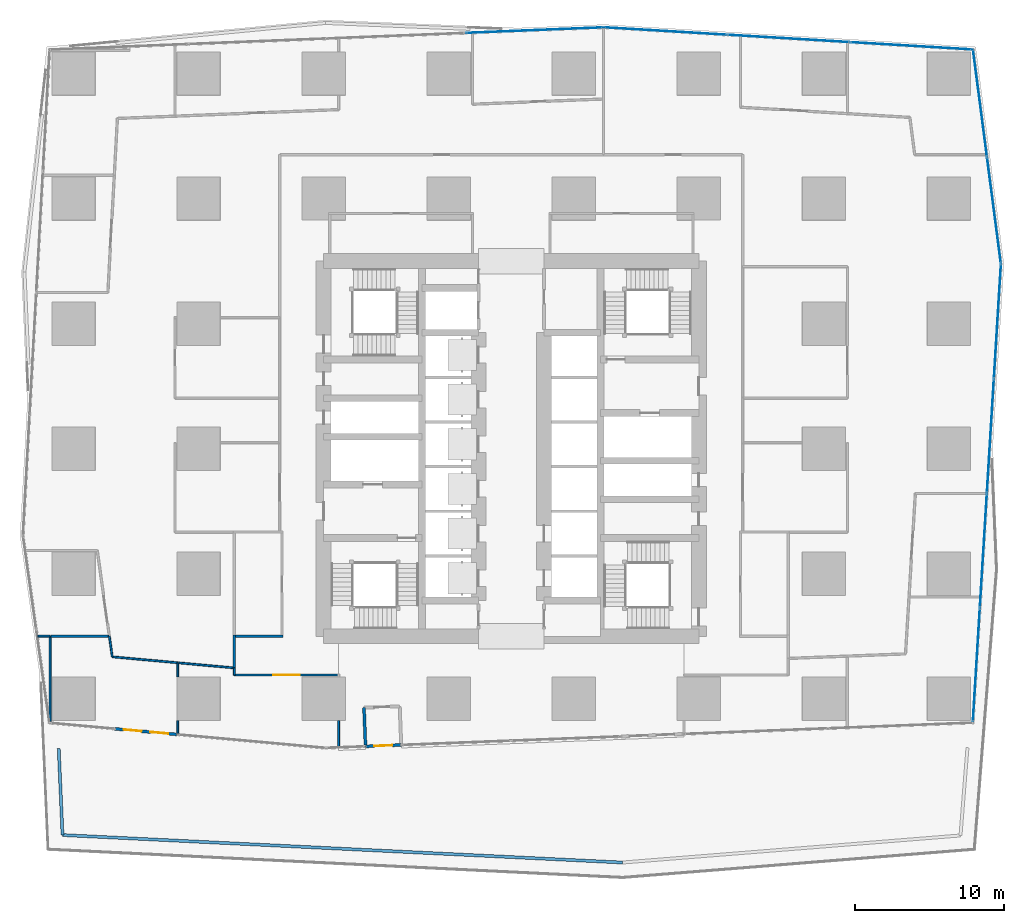
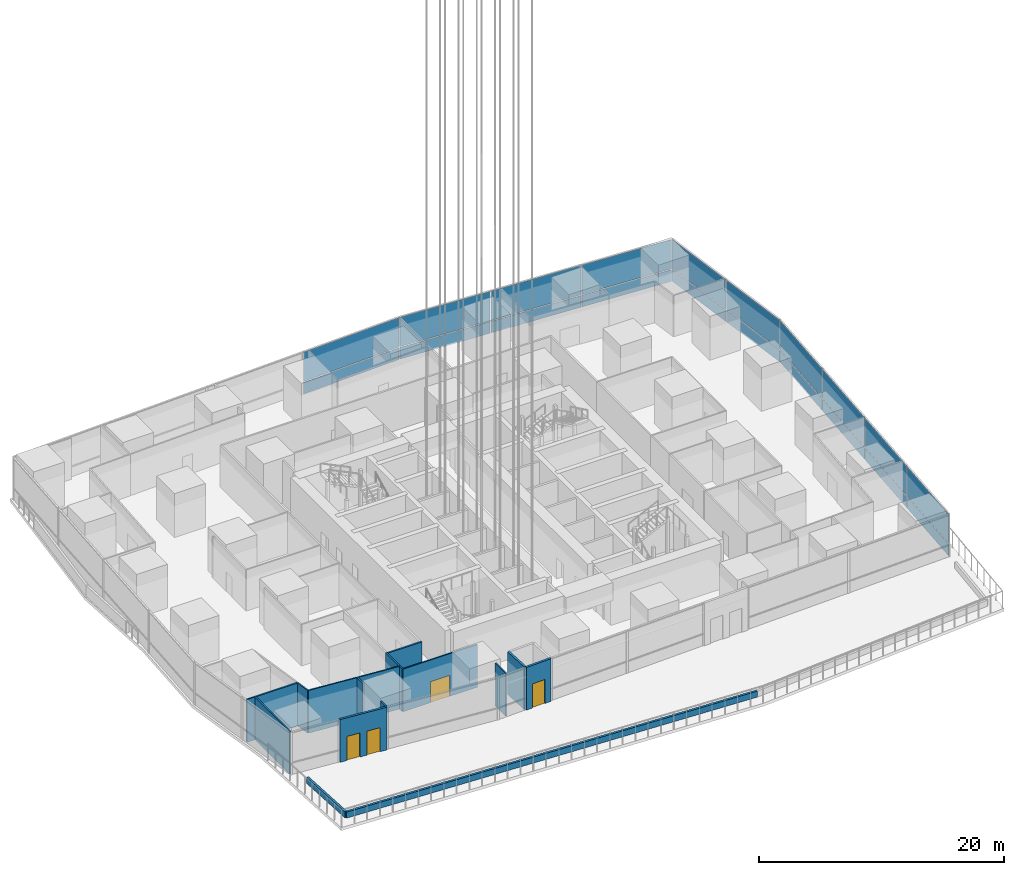
# One storey, part 18 of 44: 20 plates, 18 walls, 4 doors, 4 openings, 4 elements without a shape of their own.
"""IFC4 building model written with IfcOpenShell, lengths in metres."""

from ifc_helpers import new_model, si_unit, direction, frame, frame_2d, origin, origin_2d, place, context, subcontext, project, spatial, rectangle, extrude, material, layer, layer_set, type_object, element, fill, aggregate, save


model = new_model("IFC4")

# Units and contexts
model_context = context("Model", 3, precision=1e-05, world=origin(), true_north=direction((0.0, 1.0)))
body_context = subcontext(model_context, "Body", "Model", "MODEL_VIEW")
ifc_project = project(units=[si_unit("LENGTHUNIT", "METRE"), si_unit("AREAUNIT", "SQUARE_METRE"), si_unit("VOLUMEUNIT", "CUBIC_METRE"), si_unit("PLANEANGLEUNIT", "RADIAN"), si_unit("MASSUNIT", "GRAM", prefix="KILO")], contexts=[model_context])

# Site, building, storey
site_placement = place(None, origin())
site = spatial("IfcSite", under=ifc_project, at=site_placement, CompositionType="ELEMENT")
building_placement = place(site_placement, origin())
building = spatial("IfcBuilding", under=site, at=building_placement, Name="Rekha Terrace Tower", CompositionType="ELEMENT")
storey_placement = place(building_placement, frame((0.0, 0.0, 90.800048828125)))
storey = spatial("IfcBuildingStorey", under=building, at=storey_placement, Name="L22", CompositionType="ELEMENT", Elevation=90.800048828125)

# Curtain wall, plates
ifc_material_1 = material(Name="Aluminium framing", Category="aluminium")
curtain_wall_type = type_object("IfcCurtainWallType", Name="CW5 sky garden glazing", PredefinedType="USERDEFINED", material=ifc_material_1)
curtain_wall_1_placement = place(storey_placement, origin())
curtain_wall_1 = element("IfcCurtainWall", 1, at=curtain_wall_1_placement, inside=storey, type_object=curtain_wall_type, Name="CW5 sky garden curtain wall", ObjectType="SKY GARDEN CURTAIN WALL", PredefinedType="USERDEFINED")
ifc_material_2 = material(Name="Laminated double-glazed unit 36", Category="glass")
ifc_layer_1 = layer(ifc_material_2, 0.035888671875)
ifc_layer_set_1 = layer_set([ifc_layer_1], Name="Laminated double-glazed unit 36")
plate_type = type_object("IfcPlateType", Name="CW5 jumbo vision panel, laminated double-glazed unit 36", PredefinedType="CURTAIN_PANEL", material=ifc_layer_set_1)
plate_1_placement = place(storey_placement, frame((69.048828125, 19.06640625, 0.0), z_axis=(0.0, 0.0, 1.0), x_axis=(0.061159803113, 0.998127987025, 0.0)))
plate_1 = element("IfcPlate", 2, at=plate_1_placement, type_object=plate_type, Name="CW5 panel 1.1", PredefinedType="CURTAIN_PANEL", context=body_context, shape_type="SweptSolid", body=[
    extrude(rectangle(XDim=7.58154296875, YDim=0.035888671875, at=origin_2d()), origin(), (0.0, 0.0, 1.0), 1.155029296875),
])
plate_2_placement = place(storey_placement, frame((69.048828125, 19.06640625, 1.244873046875), z_axis=(0.0, 0.0, 1.0), x_axis=(0.061159803113, 0.998127987025, 0.0)))
plate_2 = element("IfcPlate", 3, at=plate_2_placement, type_object=plate_type, Name="CW5 panel 1.2", PredefinedType="CURTAIN_PANEL", context=body_context, shape_type="SweptSolid", body=[
    extrude(rectangle(XDim=7.58154296875, YDim=0.035888671875, at=origin_2d()), origin(), (0.0, 0.0, 1.0), 2.9150390625),
])
plate_3_placement = place(storey_placement, frame((69.519287109375, 26.745849609375, 0.0), z_axis=(0.0, 0.0, 1.0), x_axis=(0.061159803113, 0.998127987025, 0.0)))
plate_3 = element("IfcPlate", 4, at=plate_3_placement, type_object=plate_type, Name="CW5 panel 2.1", PredefinedType="CURTAIN_PANEL", context=body_context, shape_type="SweptSolid", body=[
    extrude(rectangle(XDim=7.62646484375, YDim=0.035888671875, at=origin_2d()), origin(), (0.0, 0.0, 1.0), 1.155029296875),
])
plate_4_placement = place(storey_placement, frame((69.519287109375, 26.745849609375, 1.244873046875), z_axis=(0.0, 0.0, 1.0), x_axis=(0.061159803113, 0.998127987025, 0.0)))
plate_4 = element("IfcPlate", 5, at=plate_4_placement, type_object=plate_type, Name="CW5 panel 2.2", PredefinedType="CURTAIN_PANEL", context=body_context, shape_type="SweptSolid", body=[
    extrude(rectangle(XDim=7.62646484375, YDim=0.035888671875, at=origin_2d()), origin(), (0.0, 0.0, 1.0), 2.9150390625),
])
plate_5_placement = place(storey_placement, frame((69.9912109375, 34.447998046875, 0.0), z_axis=(0.0, 0.0, 1.0), x_axis=(0.061159803113, 0.998127987025, 0.0)))
plate_5 = element("IfcPlate", 6, at=plate_5_placement, type_object=plate_type, Name="CW5 panel 3.1", PredefinedType="CURTAIN_PANEL", context=body_context, shape_type="SweptSolid", body=[
    extrude(rectangle(XDim=7.62646484375, YDim=0.035888671875, at=origin_2d()), origin(), (0.0, 0.0, 1.0), 1.155029296875),
])
plate_6_placement = place(storey_placement, frame((69.9912109375, 34.447998046875, 1.244873046875), z_axis=(0.0, 0.0, 1.0), x_axis=(0.061159803113, 0.998127987025, 0.0)))
plate_6 = element("IfcPlate", 7, at=plate_6_placement, type_object=plate_type, Name="CW5 panel 3.2", PredefinedType="CURTAIN_PANEL", context=body_context, shape_type="SweptSolid", body=[
    extrude(rectangle(XDim=7.62646484375, YDim=0.035888671875, at=origin_2d()), origin(), (0.0, 0.0, 1.0), 2.9150390625),
])
plate_7_placement = place(storey_placement, frame((70.464599609375, 42.172607421875, 0.0), z_axis=(0.0, 0.0, 1.0), x_axis=(0.061159803113, 0.998127987025, 0.0)))
plate_7 = element("IfcPlate", 8, at=plate_7_placement, type_object=plate_type, Name="CW5 panel 4.1", PredefinedType="CURTAIN_PANEL", context=body_context, shape_type="SweptSolid", body=[
    extrude(rectangle(XDim=7.671630859375, YDim=0.035888671875, at=origin_2d()), origin(), (0.0, 0.0, 1.0), 1.155029296875),
])
plate_8_placement = place(storey_placement, frame((70.464599609375, 42.172607421875, 1.244873046875), z_axis=(0.0, 0.0, 1.0), x_axis=(0.061159803113, 0.998127987025, 0.0)))
plate_8 = element("IfcPlate", 9, at=plate_8_placement, type_object=plate_type, Name="CW5 panel 4.2", PredefinedType="CURTAIN_PANEL", context=body_context, shape_type="SweptSolid", body=[
    extrude(rectangle(XDim=7.671630859375, YDim=0.035888671875, at=origin_2d()), origin(), (0.0, 0.0, 1.0), 2.9150390625),
])
aggregate(curtain_wall_1, [plate_1, plate_2, plate_3, plate_4, plate_5, plate_6, plate_7, plate_8])

curtain_wall_2_placement = place(storey_placement, origin())
curtain_wall_2 = element("IfcCurtainWall", 10, at=curtain_wall_2_placement, inside=storey, type_object=curtain_wall_type, Name="CW5 sky garden curtain wall", ObjectType="SKY GARDEN CURTAIN WALL", PredefinedType="USERDEFINED")
plate_9_placement = place(storey_placement, frame((70.227294921875, 49.625732421875, 0.0), z_axis=(0.0, 0.0, 1.0), x_axis=(-0.129118383589, 0.991629186248, 0.0)))
plate_9 = element("IfcPlate", 11, at=plate_9_placement, type_object=plate_type, Name="CW5 panel 1.1", PredefinedType="CURTAIN_PANEL", context=body_context, shape_type="SweptSolid", body=[
    extrude(rectangle(XDim=7.13037109375, YDim=0.035888671875, at=origin_2d()), origin(), (0.0, 0.0, 1.0), 1.155029296875),
])
plate_10_placement = place(storey_placement, frame((70.227294921875, 49.625732421875, 1.244873046875), z_axis=(0.0, 0.0, 1.0), x_axis=(-0.129118383589, 0.991629186248, 0.0)))
plate_10 = element("IfcPlate", 12, at=plate_10_placement, type_object=plate_type, Name="CW5 panel 1.2", PredefinedType="CURTAIN_PANEL", context=body_context, shape_type="SweptSolid", body=[
    extrude(rectangle(XDim=7.13037109375, YDim=0.035888671875, at=origin_2d()), origin(), (0.0, 0.0, 1.0), 2.9150390625),
])
plate_11_placement = place(storey_placement, frame((69.2890625, 56.830322265625, 0.0), z_axis=(0.0, 0.0, 1.0), x_axis=(-0.129118383589, 0.991629186248, 0.0)))
plate_11 = element("IfcPlate", 13, at=plate_11_placement, type_object=plate_type, Name="CW5 panel 2.1", PredefinedType="CURTAIN_PANEL", context=body_context, shape_type="SweptSolid", body=[
    extrude(rectangle(XDim=7.220458984375, YDim=0.035888671875, at=origin_2d()), origin(), (0.0, 0.0, 1.0), 1.155029296875),
])
plate_12_placement = place(storey_placement, frame((69.2890625, 56.830322265625, 1.244873046875), z_axis=(0.0, 0.0, 1.0), x_axis=(-0.129118383589, 0.991629186248, 0.0)))
plate_12 = element("IfcPlate", 14, at=plate_12_placement, type_object=plate_type, Name="CW5 panel 2.2", PredefinedType="CURTAIN_PANEL", context=body_context, shape_type="SweptSolid", body=[
    extrude(rectangle(XDim=7.220458984375, YDim=0.035888671875, at=origin_2d()), origin(), (0.0, 0.0, 1.0), 2.9150390625),
])
aggregate(curtain_wall_2, [plate_9, plate_10, plate_11, plate_12])

curtain_wall_3_placement = place(storey_placement, origin())
curtain_wall_3 = element("IfcCurtainWall", 15, at=curtain_wall_3_placement, inside=storey, type_object=curtain_wall_type, Name="CW5 sky garden curtain wall", ObjectType="SKY GARDEN CURTAIN WALL", PredefinedType="USERDEFINED")
plate_13_placement = place(storey_placement, frame((64.669677734375, 60.659912109375, 0.0), z_axis=(0.0, 0.0, 1.0), x_axis=(-0.998199102701, 0.059987926837, 0.0)))
plate_13 = element("IfcPlate", 16, at=plate_13_placement, type_object=plate_type, Name="CW5 panel 1.1", PredefinedType="CURTAIN_PANEL", context=body_context, shape_type="SweptSolid", body=[
    extrude(rectangle(XDim=8.1416015625, YDim=0.035888671875, at=origin_2d()), origin(), (0.0, 0.0, 1.0), 1.155029296875),
])
plate_14_placement = place(storey_placement, frame((64.669677734375, 60.659912109375, 1.244873046875), z_axis=(0.0, 0.0, 1.0), x_axis=(-0.998199102701, 0.059987926837, 0.0)))
plate_14 = element("IfcPlate", 17, at=plate_14_placement, type_object=plate_type, Name="CW5 panel 1.2", PredefinedType="CURTAIN_PANEL", context=body_context, shape_type="SweptSolid", body=[
    extrude(rectangle(XDim=8.1416015625, YDim=0.035888671875, at=origin_2d()), origin(), (0.0, 0.0, 1.0), 2.9150390625),
])
plate_15_placement = place(storey_placement, frame((56.430419921875, 61.155029296875, 0.0), z_axis=(0.0, 0.0, 1.0), x_axis=(-0.998199102701, 0.059987926837, 0.0)))
plate_15 = element("IfcPlate", 18, at=plate_15_placement, type_object=plate_type, Name="CW5 panel 2.1", PredefinedType="CURTAIN_PANEL", context=body_context, shape_type="SweptSolid", body=[
    extrude(rectangle(XDim=8.1865234375, YDim=0.035888671875, at=origin_2d()), origin(), (0.0, 0.0, 1.0), 1.155029296875),
])
plate_16_placement = place(storey_placement, frame((56.430419921875, 61.155029296875, 1.244873046875), z_axis=(0.0, 0.0, 1.0), x_axis=(-0.998199102701, 0.059987926837, 0.0)))
plate_16 = element("IfcPlate", 19, at=plate_16_placement, type_object=plate_type, Name="CW5 panel 2.2", PredefinedType="CURTAIN_PANEL", context=body_context, shape_type="SweptSolid", body=[
    extrude(rectangle(XDim=8.1865234375, YDim=0.035888671875, at=origin_2d()), origin(), (0.0, 0.0, 1.0), 2.9150390625),
])
plate_17_placement = place(storey_placement, frame((48.146484375, 61.65283203125, 0.0), z_axis=(0.0, 0.0, 1.0), x_axis=(-0.998199102701, 0.059987926837, 0.0)))
plate_17 = element("IfcPlate", 20, at=plate_17_placement, type_object=plate_type, Name="CW5 panel 3.1", PredefinedType="CURTAIN_PANEL", context=body_context, shape_type="SweptSolid", body=[
    extrude(rectangle(XDim=8.231689453125, YDim=0.035888671875, at=origin_2d()), origin(), (0.0, 0.0, 1.0), 1.155029296875),
])
plate_18_placement = place(storey_placement, frame((48.146484375, 61.65283203125, 1.244873046875), z_axis=(0.0, 0.0, 1.0), x_axis=(-0.998199102701, 0.059987926837, 0.0)))
plate_18 = element("IfcPlate", 21, at=plate_18_placement, type_object=plate_type, Name="CW5 panel 3.2", PredefinedType="CURTAIN_PANEL", context=body_context, shape_type="SweptSolid", body=[
    extrude(rectangle(XDim=8.231689453125, YDim=0.035888671875, at=origin_2d()), origin(), (0.0, 0.0, 1.0), 2.9150390625),
])
aggregate(curtain_wall_3, [plate_13, plate_14, plate_15, plate_16, plate_17, plate_18])

curtain_wall_4_placement = place(storey_placement, origin())
curtain_wall_4 = element("IfcCurtainWall", 22, at=curtain_wall_4_placement, inside=storey, type_object=curtain_wall_type, Name="CW5 sky garden curtain wall", ObjectType="SKY GARDEN CURTAIN WALL", PredefinedType="USERDEFINED")
plate_19_placement = place(storey_placement, frame((39.359375, 61.71240234375, 0.0), z_axis=(0.0, 0.0, 1.0), x_axis=(-0.999198398721, -0.040031987119, 0.0)))
plate_19 = element("IfcPlate", 23, at=plate_19_placement, type_object=plate_type, Name="CW5 panel 1.1", PredefinedType="CURTAIN_PANEL", context=body_context, shape_type="SweptSolid", body=[
    extrude(rectangle(XDim=9.1845703125, YDim=0.035888671875, at=origin_2d()), origin(), (0.0, 0.0, 1.0), 1.155029296875),
])
plate_20_placement = place(storey_placement, frame((39.359375, 61.71240234375, 1.244873046875), z_axis=(0.0, 0.0, 1.0), x_axis=(-0.999198398721, -0.040031987119, 0.0)))
plate_20 = element("IfcPlate", 24, at=plate_20_placement, type_object=plate_type, Name="CW5 panel 1.2", PredefinedType="CURTAIN_PANEL", context=body_context, shape_type="SweptSolid", body=[
    extrude(rectangle(XDim=9.1845703125, YDim=0.035888671875, at=origin_2d()), origin(), (0.0, 0.0, 1.0), 2.9150390625),
])
aggregate(curtain_wall_4, [plate_19, plate_20])

# Wall, openings, doors
ifc_material_3 = material(Name="Aluminium-faced insulated screen wall", Category="aluminium")
ifc_layer_2 = layer(ifc_material_3, 0.199951171875)
ifc_layer_set_2 = layer_set([ifc_layer_2], Name="Aluminium-faced insulated screen wall")
wall_type_1 = type_object("IfcWallType", Name="EW3 terrace door screen wall 200", PredefinedType="SOLIDWALL", material=ifc_layer_set_2)
wall_1_placement = place(storey_placement, frame((11.170654296875, 14.78564453125, 0.0), z_axis=(0.0, 0.0, 1.0), x_axis=(0.995906536502, -0.090388995754, 0.0)))
wall_1 = element("IfcWall", 25, at=wall_1_placement, inside=storey, type_object=wall_type_1, Name="Terrace door screen wall", PredefinedType="SOLIDWALL", context=body_context, shape_type="SweptSolid", body=[
    extrude(rectangle(XDim=4.199951171875, YDim=0.199951171875, at=frame_2d((2.10009765625, 0.0))), origin(), (0.0, 0.0, 1.0), 4.25),
])
opening_1_placement = place(wall_1_placement, frame((0.60009765625, 0.0, 0.0)))
opening_1 = element("IfcOpeningElement", 26, at=opening_1_placement, cuts=wall_1, Name="Opening ED4", PredefinedType="OPENING", context=body_context, shape_type="SweptSolid", body=[
    extrude(rectangle(XDim=1.199951171875, YDim=2.39990234375, at=frame_2d((0.60009765625, 1.199951171875))), frame((0.0, 0.10986328125, 0.0), z_axis=(0.0, -1.0, 0.0), x_axis=(1.0, 0.0, 0.0)), (0.0, 0.0, 1.0), 0.219970703125),
])
opening_2_placement = place(wall_1_placement, frame((2.39990234375, 0.0, 0.0)))
opening_2 = element("IfcOpeningElement", 27, at=opening_2_placement, cuts=wall_1, Name="Opening ED4", PredefinedType="OPENING", context=body_context, shape_type="SweptSolid", body=[
    extrude(rectangle(XDim=1.199951171875, YDim=2.39990234375, at=frame_2d((0.60009765625, 1.199951171875))), frame((0.0, 0.10986328125, 0.0), z_axis=(0.0, -1.0, 0.0), x_axis=(1.0, 0.0, 0.0)), (0.0, 0.0, 1.0), 0.219970703125),
])
ifc_material_4 = material(Name="Aluminium framed laminated glass door", Category="aluminium")
door_type_1 = type_object("IfcDoorType", Name="ED4 glazed terrace door 1200 x 2400", OperationType="SINGLE_SWING_LEFT", PredefinedType="DOOR", material=ifc_material_4)
door_1_placement = place(opening_1_placement, origin())
door_1 = element("IfcDoor", 28, at=door_1_placement, inside=storey, type_object=door_type_1, Name="Terrace door", OperationType="SINGLE_SWING_LEFT", OverallHeight=2.39990234375, OverallWidth=1.199951171875, PredefinedType="DOOR", context=body_context, shape_type="SweptSolid", body=[
    extrude(rectangle(XDim=1.199951171875, YDim=2.39990234375, at=frame_2d((0.60009765625, 1.199951171875))), frame((0.0, 0.02490234375, 0.0), z_axis=(0.0, -1.0, 0.0), x_axis=(1.0, 0.0, 0.0)), (0.0, 0.0, 1.0), 0.050048828125),
])
fill(opening_1, door_1)
door_2_placement = place(opening_2_placement, origin())
door_2 = element("IfcDoor", 29, at=door_2_placement, inside=storey, type_object=door_type_1, Name="Terrace door", OperationType="SINGLE_SWING_LEFT", OverallHeight=2.39990234375, OverallWidth=1.199951171875, PredefinedType="DOOR", context=body_context, shape_type="SweptSolid", body=[
    extrude(rectangle(XDim=1.199951171875, YDim=2.39990234375, at=frame_2d((0.60009765625, 1.199951171875))), frame((0.0, 0.02490234375, 0.0), z_axis=(0.0, -1.0, 0.0), x_axis=(1.0, 0.0, 0.0)), (0.0, 0.0, 1.0), 0.050048828125),
])
fill(opening_2, door_2)

# Wall, opening, door
wall_2_placement = place(storey_placement, frame((28.01025390625, 13.604736328125, 0.0), z_axis=(0.0, 0.0, 1.0), x_axis=(0.999240750633, 0.038960521988, 0.0)))
wall_2 = element("IfcWall", 30, at=wall_2_placement, inside=storey, type_object=wall_type_1, Name="Maintenance store door screen wall", PredefinedType="SOLIDWALL", context=body_context, shape_type="SweptSolid", body=[
    extrude(rectangle(XDim=2.39990234375, YDim=0.199951171875, at=frame_2d((1.199951171875, 0.0))), origin(), (0.0, 0.0, 1.0), 4.25),
])
opening_3_placement = place(wall_2_placement, frame((0.60009765625, 0.0, 0.0)))
opening_3 = element("IfcOpeningElement", 31, at=opening_3_placement, cuts=wall_2, Name="Opening ED4", PredefinedType="OPENING", context=body_context, shape_type="SweptSolid", body=[
    extrude(rectangle(XDim=1.199951171875, YDim=2.39990234375, at=frame_2d((0.60009765625, 1.199951171875))), frame((0.0, 0.10986328125, 0.0), z_axis=(0.0, -1.0, 0.0), x_axis=(1.0, 0.0, 0.0)), (0.0, 0.0, 1.0), 0.219970703125),
])
door_3_placement = place(opening_3_placement, origin())
door_3 = element("IfcDoor", 32, at=door_3_placement, inside=storey, type_object=door_type_1, Name="Maintenance access door", OperationType="SINGLE_SWING_LEFT", OverallHeight=2.39990234375, OverallWidth=1.199951171875, PredefinedType="DOOR", context=body_context, shape_type="SweptSolid", body=[
    extrude(rectangle(XDim=1.199951171875, YDim=2.39990234375, at=frame_2d((0.60009765625, 1.199951171875))), frame((0.0, 0.02490234375, 0.0), z_axis=(0.0, -1.0, 0.0), x_axis=(1.0, 0.0, 0.0)), (0.0, 0.0, 1.0), 0.050048828125),
])
fill(opening_3, door_3)

# Walls
ifc_material_5 = material(Name="Concrete M40", Category="concrete")
ifc_layer_3 = layer(ifc_material_5, 0.199951171875)
ifc_layer_set_3 = layer_set([ifc_layer_3], Name="Concrete M40")
wall_type_2 = type_object("IfcWallType", Name="PL1 terrace planter wall 200", PredefinedType="USERDEFINED", material=ifc_layer_set_3)
wall_3_placement = place(storey_placement, frame((7.401123046875, 13.461181640625, 0.0), z_axis=(0.0, 0.0, 1.0), x_axis=(0.043688555027, -0.999045199258, 0.0)))
element("IfcWall", 33, at=wall_3_placement, inside=storey, type_object=wall_type_2, Name="Terrace planter", ObjectType="PLANTER", PredefinedType="USERDEFINED", context=body_context, shape_type="SweptSolid", body=[
    extrude(rectangle(XDim=5.8173828125, YDim=0.199951171875, at=frame_2d((2.90869140625, 0.0))), origin(), (0.0, 0.0, 1.0), 0.599853515625),
])
wall_4_placement = place(storey_placement, frame((7.6552734375, 7.6494140625, 0.0), z_axis=(0.0, 0.0, 1.0), x_axis=(0.998796463189, -0.049047172401, 0.0)))
element("IfcWall", 34, at=wall_4_placement, inside=storey, type_object=wall_type_2, Name="Terrace planter", ObjectType="PLANTER", PredefinedType="USERDEFINED", context=body_context, shape_type="SweptSolid", body=[
    extrude(rectangle(XDim=37.6611328125, YDim=0.199951171875, at=frame_2d((18.83056640625, 0.0))), origin(), (0.0, 0.0, 1.0), 0.599853515625),
])
ifc_material_6 = material(Name="Solid concrete block masonry, 2 hour", Category="masonry")
ifc_layer_4 = layer(ifc_material_6, 0.199951171875)
ifc_layer_set_4 = layer_set([ifc_layer_4], Name="Solid concrete block masonry, 2 hour")
wall_type_3 = type_object("IfcWallType", Name="WP1 200 plant room wall", PredefinedType="PARTITIONING", material=ifc_layer_set_4)
wall_5_placement = place(storey_placement, frame((28.007080078125, 13.68408203125, 0.0), z_axis=(0.0, 0.0, 1.0), x_axis=(-0.038935269694, 0.999241734904, 0.0)))
element("IfcWall", 35, at=wall_5_placement, inside=storey, type_object=wall_type_3, Name="Partition L22-MS", PredefinedType="PARTITIONING", context=body_context, shape_type="SweptSolid", body=[
    extrude(rectangle(XDim=2.520751953125, YDim=0.199951171875, at=frame_2d((1.26025390625, 0.0))), origin(), (0.0, 0.0, 1.0), 4.25),
])
ifc_material_7 = material(Name="Concrete block masonry, 1 hour", Category="masonry")
ifc_layer_5 = layer(ifc_material_7, 0.14990234375)
ifc_layer_set_5 = layer_set([ifc_layer_5], Name="Concrete block masonry, 1 hour")
wall_type_4 = type_object("IfcWallType", Name="WP2 150 tenancy partition", PredefinedType="PARTITIONING", material=ifc_layer_set_5)
wall_6_placement = place(storey_placement, frame((19.125, 21.0, 0.0), z_axis=(0.0, 0.0, 1.0), x_axis=(1.0, 0.0, 0.0)))
element("IfcWall", 36, at=wall_6_placement, inside=storey, type_object=wall_type_4, Name="Men's WC wall L22", PredefinedType="PARTITIONING", context=body_context, shape_type="SweptSolid", body=[
    extrude(rectangle(XDim=3.35009765625, YDim=0.14990234375, at=frame_2d((1.675048828125, 0.0))), origin(), (0.0, 0.0, 1.0), 4.25),
])
wall_7_placement = place(storey_placement, frame((19.199951171875, 21.074951171875, 0.0), z_axis=(0.0, 0.0, 1.0), x_axis=(0.0, -1.0, 0.0)))
element("IfcWall", 37, at=wall_7_placement, inside=storey, type_object=wall_type_4, Name="Partition L22-O2", PredefinedType="PARTITIONING", context=body_context, shape_type="SweptSolid", body=[
    extrude(rectangle(XDim=2.198974609375, YDim=0.14990234375, at=frame_2d((1.099609375, 0.0))), origin(), (0.0, 0.0, 1.0), 4.25),
])
wall_8_placement = place(storey_placement, frame((10.794921875, 21.009033203125, 0.0), z_axis=(0.0, 0.0, 1.0), x_axis=(-1.0, 0.0, 0.0)))
element("IfcWall", 38, at=wall_8_placement, inside=storey, type_object=wall_type_4, Name="Partition L22-O2", PredefinedType="PARTITIONING", context=body_context, shape_type="SweptSolid", body=[
    extrude(rectangle(XDim=3.911865234375, YDim=0.14990234375, at=frame_2d((1.9560546875, 0.0))), origin(), (0.0, 0.0, 1.0), 4.25),
])
ifc_material_8 = material(Name="Two layers of fire-rated gypsum board each side on steel studs, acoustic quilt, 1 hour", Category="steel")
ifc_layer_6 = layer(ifc_material_8, 0.125)
ifc_layer_set_6 = layer_set([ifc_layer_6], Name="Two layers of fire-rated gypsum board each side on steel studs, acoustic quilt, 1 hour")
wall_type_5 = type_object("IfcWallType", Name="WP3 125 office partition", PredefinedType="PARTITIONING", material=ifc_layer_set_6)
wall_9_placement = place(storey_placement, frame((10.802001953125, 21.010009765625, 0.0), z_axis=(0.0, 0.0, 1.0), x_axis=(0.139764178089, -0.990184818366, 0.0)))
element("IfcWall", 39, at=wall_9_placement, inside=storey, type_object=wall_type_5, Name="Partition L22-13", PredefinedType="PARTITIONING", context=body_context, shape_type="SweptSolid", body=[
    extrude(rectangle(XDim=1.402587890625, YDim=0.125, at=frame_2d((0.701171875, 0.0))), origin(), (0.0, 0.0, 1.0), 4.25),
])
wall_10_placement = place(storey_placement, frame((10.998046875, 19.62109375, 0.0), z_axis=(0.0, 0.0, 1.0), x_axis=(0.995909948824, -0.090351390874, 0.0)))
element("IfcWall", 40, at=wall_10_placement, inside=storey, type_object=wall_type_5, Name="Partition L22-13", PredefinedType="PARTITIONING", context=body_context, shape_type="SweptSolid", body=[
    extrude(rectangle(XDim=4.41796875, YDim=0.125, at=frame_2d((2.208984375, 0.0))), origin(), (0.0, 0.0, 1.0), 4.25),
])
wall_11_placement = place(storey_placement, frame((15.39794921875, 19.221923828125, 0.0), z_axis=(0.0, 0.0, 1.0), x_axis=(0.0, -1.0, 0.0)))
element("IfcWall", 41, at=wall_11_placement, inside=storey, type_object=wall_type_5, Name="Partition L22-13", PredefinedType="PARTITIONING", context=body_context, shape_type="SweptSolid", body=[
    extrude(rectangle(XDim=0.951904296875, YDim=0.125, at=frame_2d((0.47607421875, 0.0))), origin(), (0.0, 0.0, 1.0), 4.25),
])
wall_12_placement = place(storey_placement, frame((15.39794921875, 15.330078125, 0.0), z_axis=(0.0, 0.0, 1.0), x_axis=(0.0, -1.0, 0.0)))
element("IfcWall", 42, at=wall_12_placement, inside=storey, type_object=wall_type_5, Name="Partition L22-13", PredefinedType="PARTITIONING", context=body_context, shape_type="SweptSolid", body=[
    extrude(rectangle(XDim=0.84814453125, YDim=0.125, at=frame_2d((0.424072265625, 0.0))), origin(), (0.0, 0.0, 1.0), 4.25),
])
wall_13_placement = place(storey_placement, frame((6.821044921875, 15.291015625, 0.0), z_axis=(0.0, 0.0, 1.0), x_axis=(0.0, 1.0, 0.0)))
element("IfcWall", 43, at=wall_13_placement, inside=storey, type_object=wall_type_5, Name="Partition L22-13", PredefinedType="PARTITIONING", context=body_context, shape_type="SweptSolid", body=[
    extrude(rectangle(XDim=5.718994140625, YDim=0.125, at=frame_2d((2.859375, 0.0))), origin(), (0.0, 0.0, 1.0), 4.25),
])
wall_14_placement = place(storey_placement, frame((6.821044921875, 21.010009765625, 0.0), z_axis=(0.0, 0.0, 1.0), x_axis=(-1.0, 0.0, 0.0)))
element("IfcWall", 44, at=wall_14_placement, inside=storey, type_object=wall_type_5, Name="Partition L22-13", PredefinedType="PARTITIONING", context=body_context, shape_type="SweptSolid", body=[
    extrude(rectangle(XDim=0.816162109375, YDim=0.125, at=frame_2d((0.408203125, 0.0))), origin(), (0.0, 0.0, 1.0), 4.25),
])
wall_15_placement = place(storey_placement, frame((15.4599609375, 19.215087890625, 0.0), z_axis=(0.0, 0.0, 1.0), x_axis=(0.995914494184, -0.090301275045, 0.0)))
element("IfcWall", 45, at=wall_15_placement, inside=storey, type_object=wall_type_5, Name="Partition L22-14", PredefinedType="PARTITIONING", context=body_context, shape_type="SweptSolid", body=[
    extrude(rectangle(XDim=3.75537109375, YDim=0.125, at=frame_2d((1.877685546875, 0.0))), origin(), (0.0, 0.0, 1.0), 4.25),
])
wall_16_placement = place(storey_placement, frame((19.199951171875, 18.8759765625, 0.0), z_axis=(0.0, 0.0, 1.0), x_axis=(0.0, -1.0, 0.0)))
element("IfcWall", 46, at=wall_16_placement, inside=storey, type_object=wall_type_5, Name="Partition L22-14", PredefinedType="PARTITIONING", context=body_context, shape_type="SweptSolid", body=[
    extrude(rectangle(XDim=0.47607421875, YDim=0.125, at=frame_2d((0.238037109375, 0.0))), origin(), (0.0, 0.0, 1.0), 4.25),
])

# Wall, opening, door
wall_17_placement = place(storey_placement, frame((19.199951171875, 18.39990234375, 0.0), z_axis=(0.0, 0.0, 1.0), x_axis=(1.0, 0.0, 0.0)))
wall_17 = element("IfcWall", 47, at=wall_17_placement, inside=storey, type_object=wall_type_5, Name="Partition L22-14", PredefinedType="PARTITIONING", context=body_context, shape_type="SweptSolid", body=[
    extrude(rectangle(XDim=7.0, YDim=0.125, at=frame_2d((3.5, 0.0))), origin(), (0.0, 0.0, 1.0), 4.25),
])
opening_4_placement = place(wall_17_placement, frame((2.60009765625, 0.0, 0.0)))
opening_4 = element("IfcOpeningElement", 48, at=opening_4_placement, cuts=wall_17, Name="Opening D8", PredefinedType="OPENING", context=body_context, shape_type="SweptSolid", body=[
    extrude(rectangle(XDim=1.800048828125, YDim=2.10009765625, at=frame_2d((0.89990234375, 1.050048828125))), frame((0.0, 0.072509765625, 0.0), z_axis=(0.0, -1.0, 0.0), x_axis=(1.0, 0.0, 0.0)), (0.0, 0.0, 1.0), 0.14501953125),
])
ifc_material_9 = material(Name="Timber fire door", Category="wood")
door_type_2 = type_object("IfcDoorType", Name="D8 1800x2100 double leaf door", OperationType="DOUBLE_DOOR_SINGLE_SWING", PredefinedType="DOOR", material=ifc_material_9)
door_4_placement = place(opening_4_placement, origin())
door_4 = element("IfcDoor", 49, at=door_4_placement, inside=storey, type_object=door_type_2, Name="Door business lounge L22", OperationType="DOUBLE_DOOR_SINGLE_SWING", OverallHeight=2.10009765625, OverallWidth=1.800048828125, PredefinedType="DOOR", context=body_context, shape_type="SweptSolid", body=[
    extrude(rectangle(XDim=1.800048828125, YDim=2.10009765625, at=frame_2d((0.89990234375, 1.050048828125))), frame((0.0, 0.02490234375, 0.0), z_axis=(0.0, -1.0, 0.0), x_axis=(1.0, 0.0, 0.0)), (0.0, 0.0, 1.0), 0.050048828125),
])
fill(opening_4, door_4)

# Wall
wall_18_placement = place(storey_placement, frame((26.199951171875, 15.330078125, 0.0), z_axis=(0.0, 0.0, 1.0), x_axis=(0.0, -1.0, 0.0)))
element("IfcWall", 50, at=wall_18_placement, inside=storey, type_object=wall_type_5, Name="Partition L22-14", PredefinedType="PARTITIONING", context=body_context, shape_type="SweptSolid", body=[
    extrude(rectangle(XDim=1.716064453125, YDim=0.125, at=frame_2d((0.85791015625, 0.0))), origin(), (0.0, 0.0, 1.0), 4.25),
])

save(model, "model.ifc")
